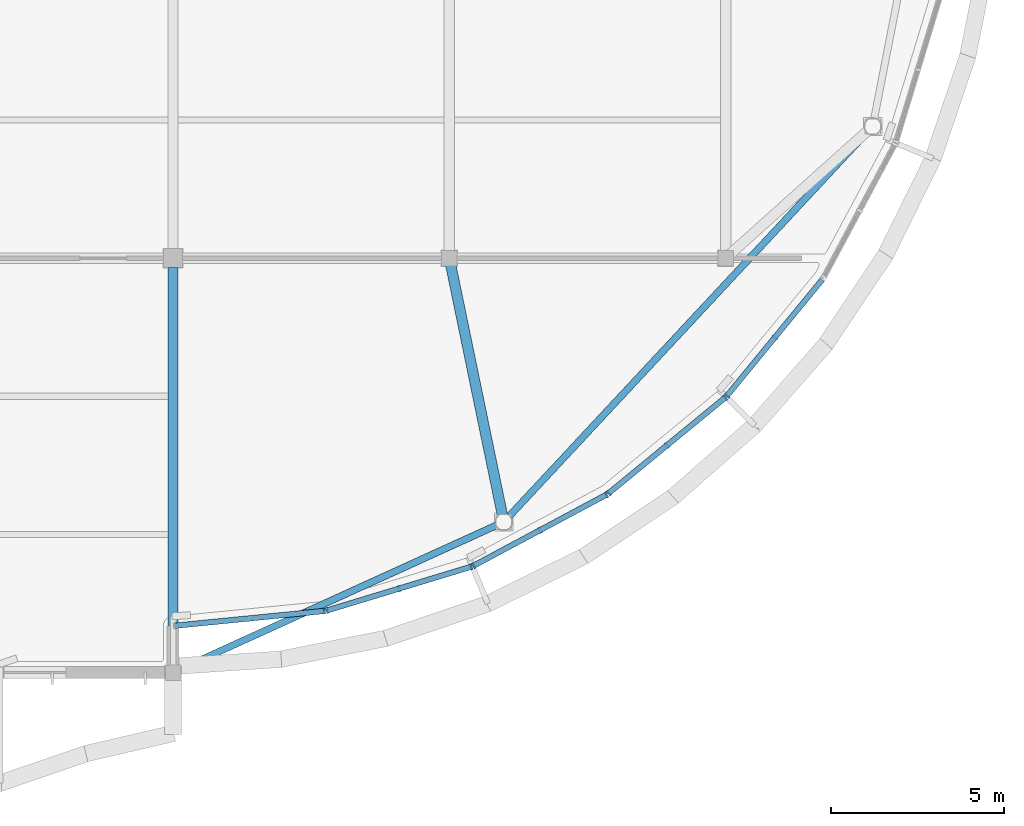
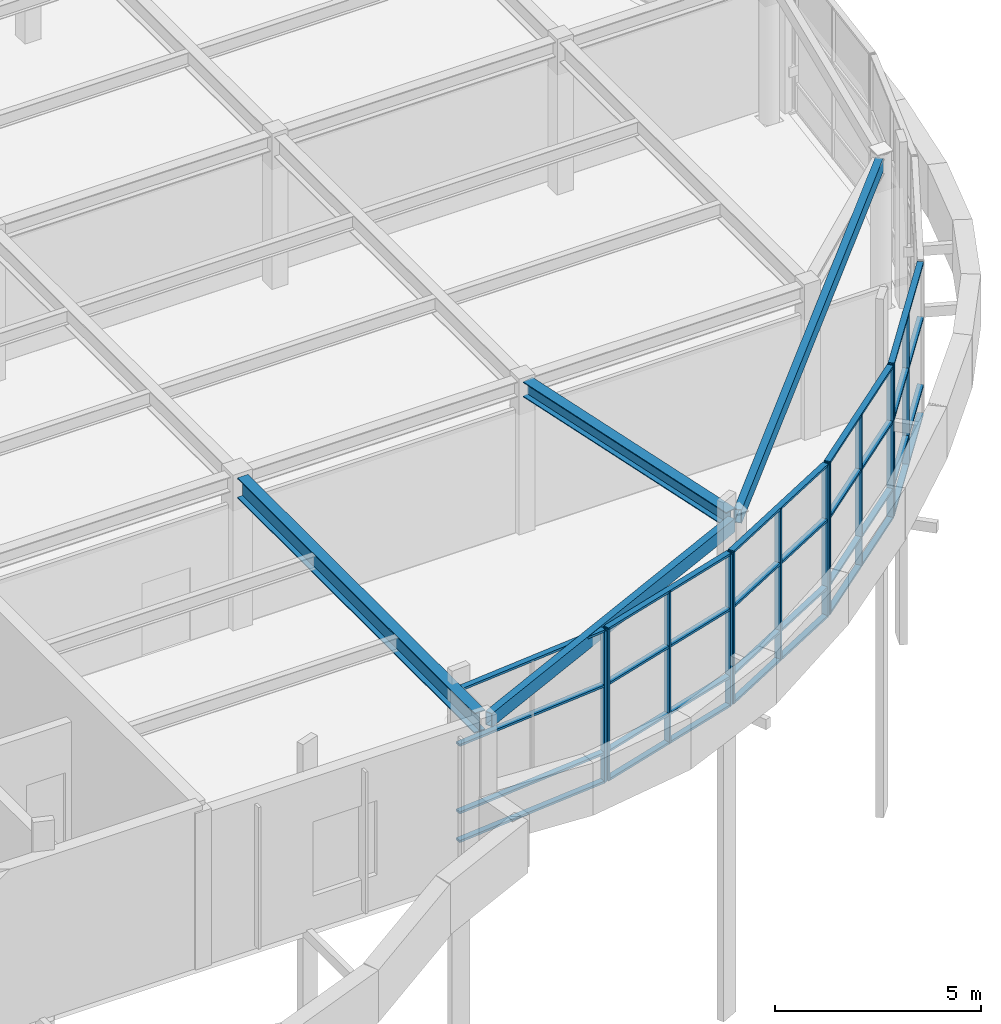
# One storey, part 24 of 63: 32 members, 4 beams, 5 elements without a shape of their own.
"""IFC4 building model written with IfcOpenShell, lengths in metres."""

from ifc_helpers import new_model, si_unit, direction, frame, origin, origin_2d, place, context, subcontext, project, spatial, rectangle, hollow_rectangle, i_section, extrude, material, layer, layer_set, material_profile, profile_set, type_object, element, aggregate, save


model = new_model("IFC4")

# Units and contexts
model_context = context("Model", 3, precision=1e-05, world=origin(), true_north=direction((0.0, 1.0)))
body_context = subcontext(model_context, "Body", "Model", "MODEL_VIEW")
ifc_project = project(units=[si_unit("LENGTHUNIT", "METRE"), si_unit("AREAUNIT", "SQUARE_METRE"), si_unit("VOLUMEUNIT", "CUBIC_METRE"), si_unit("PLANEANGLEUNIT", "RADIAN"), si_unit("MASSUNIT", "GRAM", prefix="KILO")], contexts=[model_context])

# Site, building, storey
site_placement = place(None, origin())
site = spatial("IfcSite", under=ifc_project, at=site_placement, CompositionType="ELEMENT")
building_placement = place(site_placement, origin())
building = spatial("IfcBuilding", under=site, at=building_placement, Name="Keelwater Ferry Terminal", CompositionType="ELEMENT")
storey_placement = place(building_placement, frame((0.0, 0.0, 10.199951171875)))
storey = spatial("IfcBuildingStorey", under=building, at=storey_placement, Name="L02", CompositionType="ELEMENT", Elevation=10.199951171875)

# Curtain wall, member
ifc_material_1 = material(Name="Thermally broken unitised aluminium and triple glass", Category="aluminium")
ifc_layer = layer(ifc_material_1, 0.179931640625)
ifc_layer_set = layer_set([ifc_layer], Name="Thermally broken unitised aluminium and triple glass")
curtain_wall_type = type_object("IfcCurtainWallType", Name="CW-19 Unitised Curtain Wall 4350x4480", PredefinedType="USERDEFINED", material=ifc_layer_set)
curtain_wall_1_placement = place(storey_placement, origin())
curtain_wall_1 = element("IfcCurtainWall", 1, at=curtain_wall_1_placement, inside=storey, type_object=curtain_wall_type, Name="Unitised Curtain Wall CW-L02-157", ObjectType="UNITISED CURTAIN WALL", PredefinedType="USERDEFINED")
ifc_material_2 = material(Name="Aluminium mullion", Category="aluminium")
ifc_material_profile_1 = material_profile(ifc_material_2, rectangle(XDim=0.06494140625, YDim=0.179931640625, at=origin_2d()), Name="CWM-01")
ifc_profile_set_1 = profile_set([ifc_material_profile_1], Name="Aluminium mullion")
member_type_1 = type_object("IfcMemberType", Name="CWM-01 Curtain Mullion 65x180", PredefinedType="MULLION", material=ifc_profile_set_1)
member_1_placement = place(storey_placement, frame((168.3740234375, 43.781005859375, 0.0), z_axis=(0.0, 0.0, 1.0), x_axis=(0.995170573079, 0.098160737969, 0.0)))
member_1 = element("IfcMember", 2, at=member_1_placement, type_object=member_type_1, Name="CW-L02-157 Mullion 3", PredefinedType="MULLION", context=body_context, shape_type="SweptSolid", body=[
    extrude(rectangle(XDim=0.06494140625, YDim=0.179931640625, at=origin_2d()), origin(), (0.0, 0.0, 1.0), 4.47998046875),
])

# Curtain wall, members
curtain_wall_2_placement = place(storey_placement, origin())
curtain_wall_2 = element("IfcCurtainWall", 3, at=curtain_wall_2_placement, inside=storey, type_object=curtain_wall_type, Name="Unitised Curtain Wall CW-L02-158", ObjectType="UNITISED CURTAIN WALL", PredefinedType="USERDEFINED")
member_2_placement = place(storey_placement, frame((168.4619140625, 43.798095703125, 0.0), z_axis=(0.0, 0.0, 1.0), x_axis=(0.956929623319, 0.290319989003, 0.0)))
member_2 = element("IfcMember", 4, at=member_2_placement, type_object=member_type_1, Name="CW-L02-158 Mullion 1", PredefinedType="MULLION", context=body_context, shape_type="SweptSolid", body=[
    extrude(rectangle(XDim=0.06494140625, YDim=0.179931640625, at=origin_2d()), origin(), (0.0, 0.0, 1.0), 4.47998046875),
])
member_3_placement = place(storey_placement, frame((170.54345703125, 44.429443359375, 0.0), z_axis=(0.0, 0.0, 1.0), x_axis=(0.956929623319, 0.290319989003, 0.0)))
member_3 = element("IfcMember", 5, at=member_3_placement, type_object=member_type_1, Name="CW-L02-158 Mullion 2", PredefinedType="MULLION", context=body_context, shape_type="SweptSolid", body=[
    extrude(rectangle(XDim=0.06494140625, YDim=0.179931640625, at=origin_2d()), origin(), (0.0, 0.0, 1.0), 4.47998046875),
])
member_4_placement = place(storey_placement, frame((172.625, 45.06103515625, 0.0), z_axis=(0.0, 0.0, 1.0), x_axis=(0.956929623319, 0.290319989003, 0.0)))
member_4 = element("IfcMember", 6, at=member_4_placement, type_object=member_type_1, Name="CW-L02-158 Mullion 3", PredefinedType="MULLION", context=body_context, shape_type="SweptSolid", body=[
    extrude(rectangle(XDim=0.06494140625, YDim=0.179931640625, at=origin_2d()), origin(), (0.0, 0.0, 1.0), 4.47998046875),
])

curtain_wall_3_placement = place(storey_placement, origin())
curtain_wall_3 = element("IfcCurtainWall", 7, at=curtain_wall_3_placement, inside=storey, type_object=curtain_wall_type, Name="Unitised Curtain Wall CW-L02-159", ObjectType="UNITISED CURTAIN WALL", PredefinedType="USERDEFINED")
member_5_placement = place(storey_placement, frame((172.7080078125, 45.094970703125, 0.0), z_axis=(0.0, 0.0, 1.0), x_axis=(0.881862452632, 0.471506749303, 0.0)))
member_5 = element("IfcMember", 8, at=member_5_placement, type_object=member_type_1, Name="CW-L02-159 Mullion 1", PredefinedType="MULLION", context=body_context, shape_type="SweptSolid", body=[
    extrude(rectangle(XDim=0.06494140625, YDim=0.179931640625, at=origin_2d()), origin(), (0.0, 0.0, 1.0), 4.47998046875),
])
member_6_placement = place(storey_placement, frame((174.6259765625, 46.12060546875, 0.0), z_axis=(0.0, 0.0, 1.0), x_axis=(0.881862452632, 0.471506749303, 0.0)))
member_6 = element("IfcMember", 9, at=member_6_placement, type_object=member_type_1, Name="CW-L02-159 Mullion 2", PredefinedType="MULLION", context=body_context, shape_type="SweptSolid", body=[
    extrude(rectangle(XDim=0.06494140625, YDim=0.179931640625, at=origin_2d()), origin(), (0.0, 0.0, 1.0), 4.47998046875),
])
member_7_placement = place(storey_placement, frame((176.5439453125, 47.14599609375, 0.0), z_axis=(0.0, 0.0, 1.0), x_axis=(0.881862452632, 0.471506749303, 0.0)))
member_7 = element("IfcMember", 10, at=member_7_placement, type_object=member_type_1, Name="CW-L02-159 Mullion 3", PredefinedType="MULLION", context=body_context, shape_type="SweptSolid", body=[
    extrude(rectangle(XDim=0.06494140625, YDim=0.179931640625, at=origin_2d()), origin(), (0.0, 0.0, 1.0), 4.47998046875),
])

curtain_wall_4_placement = place(storey_placement, origin())
curtain_wall_4 = element("IfcCurtainWall", 11, at=curtain_wall_4_placement, inside=storey, type_object=curtain_wall_type, Name="Unitised Curtain Wall CW-L02-160", ObjectType="UNITISED CURTAIN WALL", PredefinedType="USERDEFINED")
member_8_placement = place(storey_placement, frame((176.618896484375, 47.196044921875, 0.0), z_axis=(0.0, 0.0, 1.0), x_axis=(0.773024220086, 0.634376508991, 0.0)))
member_8 = element("IfcMember", 12, at=member_8_placement, type_object=member_type_1, Name="CW-L02-160 Mullion 1", PredefinedType="MULLION", context=body_context, shape_type="SweptSolid", body=[
    extrude(rectangle(XDim=0.06494140625, YDim=0.179931640625, at=origin_2d()), origin(), (0.0, 0.0, 1.0), 4.47998046875),
])
member_9_placement = place(storey_placement, frame((178.300048828125, 48.575439453125, 0.0), z_axis=(0.0, 0.0, 1.0), x_axis=(0.773024220086, 0.634376508991, 0.0)))
member_9 = element("IfcMember", 13, at=member_9_placement, type_object=member_type_1, Name="CW-L02-160 Mullion 2", PredefinedType="MULLION", context=body_context, shape_type="SweptSolid", body=[
    extrude(rectangle(XDim=0.06494140625, YDim=0.179931640625, at=origin_2d()), origin(), (0.0, 0.0, 1.0), 4.47998046875),
])
member_10_placement = place(storey_placement, frame((179.98095703125, 49.955078125, 0.0), z_axis=(0.0, 0.0, 1.0), x_axis=(0.773024220086, 0.634376508991, 0.0)))
member_10 = element("IfcMember", 14, at=member_10_placement, type_object=member_type_1, Name="CW-L02-160 Mullion 3", PredefinedType="MULLION", context=body_context, shape_type="SweptSolid", body=[
    extrude(rectangle(XDim=0.06494140625, YDim=0.179931640625, at=origin_2d()), origin(), (0.0, 0.0, 1.0), 4.47998046875),
])

curtain_wall_5_placement = place(storey_placement, origin())
curtain_wall_5 = element("IfcCurtainWall", 15, at=curtain_wall_5_placement, inside=storey, type_object=curtain_wall_type, Name="Unitised Curtain Wall CW-L02-161", ObjectType="UNITISED CURTAIN WALL", PredefinedType="USERDEFINED")
member_11_placement = place(storey_placement, frame((180.044921875, 50.01904296875, 0.0), z_axis=(0.0, 0.0, 1.0), x_axis=(0.634376508991, 0.773024220086, 0.0)))
member_11 = element("IfcMember", 16, at=member_11_placement, type_object=member_type_1, Name="CW-L02-161 Mullion 1", PredefinedType="MULLION", context=body_context, shape_type="SweptSolid", body=[
    extrude(rectangle(XDim=0.06494140625, YDim=0.179931640625, at=origin_2d()), origin(), (0.0, 0.0, 1.0), 4.47998046875),
])
member_12_placement = place(storey_placement, frame((181.424560546875, 51.699951171875, 0.0), z_axis=(0.0, 0.0, 1.0), x_axis=(0.634376508991, 0.773024220086, 0.0)))
member_12 = element("IfcMember", 17, at=member_12_placement, type_object=member_type_1, Name="CW-L02-161 Mullion 2", PredefinedType="MULLION", context=body_context, shape_type="SweptSolid", body=[
    extrude(rectangle(XDim=0.06494140625, YDim=0.179931640625, at=origin_2d()), origin(), (0.0, 0.0, 1.0), 4.47998046875),
])

# Member
ifc_material_3 = material(Name="Aluminium mullion", Category="aluminium")
ifc_material_profile_2 = material_profile(ifc_material_3, rectangle(XDim=0.159912109375, YDim=0.06494140625, at=origin_2d()), Name="CWT-01")
ifc_profile_set_2 = profile_set([ifc_material_profile_2], Name="Aluminium mullion")
member_type_2 = type_object("IfcMemberType", Name="CWT-01 Curtain Transom 65x160", PredefinedType="USERDEFINED", material=ifc_profile_set_2)
member_13_placement = place(storey_placement, frame((164.044921875, 43.35400390625, 0.0), z_axis=(0.995170754178, 0.098158901932, 0.0), x_axis=(-0.098158901932, 0.995170754178, 0.0)))
member_13 = element("IfcMember", 18, at=member_13_placement, type_object=member_type_2, Name="CW-L02-157 Transom 1", ObjectType="TRANSOM", PredefinedType="USERDEFINED", context=body_context, shape_type="SweptSolid", body=[
    extrude(rectangle(XDim=0.159912109375, YDim=0.06494140625, at=origin_2d()), origin(), (0.0, 0.0, 1.0), 4.35009765625),
])

member_14_placement = place(storey_placement, frame((164.044921875, 43.35400390625, 0.85009765625), z_axis=(0.995170754178, 0.098158901932, 0.0), x_axis=(-0.098158901932, 0.995170754178, 0.0)))
member_14 = element("IfcMember", 19, at=member_14_placement, type_object=member_type_2, Name="CW-L02-157 Transom 2", ObjectType="TRANSOM", PredefinedType="USERDEFINED", context=body_context, shape_type="SweptSolid", body=[
    extrude(rectangle(XDim=0.159912109375, YDim=0.06494140625, at=origin_2d()), origin(), (0.0, 0.0, 1.0), 4.35009765625),
])

member_15_placement = place(storey_placement, frame((164.044921875, 43.35400390625, 2.85009765625), z_axis=(0.995170754178, 0.098158901932, 0.0), x_axis=(-0.098158901932, 0.995170754178, 0.0)))
member_15 = element("IfcMember", 20, at=member_15_placement, type_object=member_type_2, Name="CW-L02-157 Transom 3", ObjectType="TRANSOM", PredefinedType="USERDEFINED", context=body_context, shape_type="SweptSolid", body=[
    extrude(rectangle(XDim=0.159912109375, YDim=0.06494140625, at=origin_2d()), origin(), (0.0, 0.0, 1.0), 4.35009765625),
])

member_16_placement = place(storey_placement, frame((164.044921875, 43.35400390625, 4.47998046875), z_axis=(0.995170754178, 0.098158901932, 0.0), x_axis=(-0.098158901932, 0.995170754178, 0.0)))
member_16 = element("IfcMember", 21, at=member_16_placement, type_object=member_type_2, Name="CW-L02-157 Transom 4", ObjectType="TRANSOM", PredefinedType="USERDEFINED", context=body_context, shape_type="SweptSolid", body=[
    extrude(rectangle(XDim=0.159912109375, YDim=0.06494140625, at=origin_2d()), origin(), (0.0, 0.0, 1.0), 4.35009765625),
])

aggregate(curtain_wall_1, [member_1, member_13, member_14, member_15, member_16])

member_17_placement = place(storey_placement, frame((168.4619140625, 43.798095703125, 0.0), z_axis=(0.956935154583, 0.290301756665, 0.0), x_axis=(-0.290301756665, 0.956935154583, 0.0)))
member_17 = element("IfcMember", 22, at=member_17_placement, type_object=member_type_2, Name="CW-L02-158 Transom 1", ObjectType="TRANSOM", PredefinedType="USERDEFINED", context=body_context, shape_type="SweptSolid", body=[
    extrude(rectangle(XDim=0.159912109375, YDim=0.06494140625, at=origin_2d()), origin(), (0.0, 0.0, 1.0), 4.350341796875),
])

member_18_placement = place(storey_placement, frame((168.4619140625, 43.798095703125, 0.85009765625), z_axis=(0.956935154583, 0.290301756665, 0.0), x_axis=(-0.290301756665, 0.956935154583, 0.0)))
member_18 = element("IfcMember", 23, at=member_18_placement, type_object=member_type_2, Name="CW-L02-158 Transom 2", ObjectType="TRANSOM", PredefinedType="USERDEFINED", context=body_context, shape_type="SweptSolid", body=[
    extrude(rectangle(XDim=0.159912109375, YDim=0.06494140625, at=origin_2d()), origin(), (0.0, 0.0, 1.0), 4.350341796875),
])

member_19_placement = place(storey_placement, frame((168.4619140625, 43.798095703125, 2.85009765625), z_axis=(0.956935154583, 0.290301756665, 0.0), x_axis=(-0.290301756665, 0.956935154583, 0.0)))
member_19 = element("IfcMember", 24, at=member_19_placement, type_object=member_type_2, Name="CW-L02-158 Transom 3", ObjectType="TRANSOM", PredefinedType="USERDEFINED", context=body_context, shape_type="SweptSolid", body=[
    extrude(rectangle(XDim=0.159912109375, YDim=0.06494140625, at=origin_2d()), origin(), (0.0, 0.0, 1.0), 4.350341796875),
])

member_20_placement = place(storey_placement, frame((168.4619140625, 43.798095703125, 4.47998046875), z_axis=(0.956935154583, 0.290301756665, 0.0), x_axis=(-0.290301756665, 0.956935154583, 0.0)))
member_20 = element("IfcMember", 25, at=member_20_placement, type_object=member_type_2, Name="CW-L02-158 Transom 4", ObjectType="TRANSOM", PredefinedType="USERDEFINED", context=body_context, shape_type="SweptSolid", body=[
    extrude(rectangle(XDim=0.159912109375, YDim=0.06494140625, at=origin_2d()), origin(), (0.0, 0.0, 1.0), 4.350341796875),
])

aggregate(curtain_wall_2, [member_2, member_3, member_4, member_17, member_18, member_19, member_20])

member_21_placement = place(storey_placement, frame((172.7080078125, 45.094970703125, 0.0), z_axis=(0.881856831112, 0.471517263122, 0.0), x_axis=(-0.471517263122, 0.881856831112, 0.0)))
member_21 = element("IfcMember", 26, at=member_21_placement, type_object=member_type_2, Name="CW-L02-159 Transom 1", ObjectType="TRANSOM", PredefinedType="USERDEFINED", context=body_context, shape_type="SweptSolid", body=[
    extrude(rectangle(XDim=0.159912109375, YDim=0.06494140625, at=origin_2d()), origin(), (0.0, 0.0, 1.0), 4.349853515625),
])

member_22_placement = place(storey_placement, frame((172.7080078125, 45.094970703125, 0.85009765625), z_axis=(0.881856831112, 0.471517263122, 0.0), x_axis=(-0.471517263122, 0.881856831112, 0.0)))
member_22 = element("IfcMember", 27, at=member_22_placement, type_object=member_type_2, Name="CW-L02-159 Transom 2", ObjectType="TRANSOM", PredefinedType="USERDEFINED", context=body_context, shape_type="SweptSolid", body=[
    extrude(rectangle(XDim=0.159912109375, YDim=0.06494140625, at=origin_2d()), origin(), (0.0, 0.0, 1.0), 4.349853515625),
])

member_23_placement = place(storey_placement, frame((172.7080078125, 45.094970703125, 2.85009765625), z_axis=(0.881856831112, 0.471517263122, 0.0), x_axis=(-0.471517263122, 0.881856831112, 0.0)))
member_23 = element("IfcMember", 28, at=member_23_placement, type_object=member_type_2, Name="CW-L02-159 Transom 3", ObjectType="TRANSOM", PredefinedType="USERDEFINED", context=body_context, shape_type="SweptSolid", body=[
    extrude(rectangle(XDim=0.159912109375, YDim=0.06494140625, at=origin_2d()), origin(), (0.0, 0.0, 1.0), 4.349853515625),
])

member_24_placement = place(storey_placement, frame((172.7080078125, 45.094970703125, 4.47998046875), z_axis=(0.881856831112, 0.471517263122, 0.0), x_axis=(-0.471517263122, 0.881856831112, 0.0)))
member_24 = element("IfcMember", 29, at=member_24_placement, type_object=member_type_2, Name="CW-L02-159 Transom 4", ObjectType="TRANSOM", PredefinedType="USERDEFINED", context=body_context, shape_type="SweptSolid", body=[
    extrude(rectangle(XDim=0.159912109375, YDim=0.06494140625, at=origin_2d()), origin(), (0.0, 0.0, 1.0), 4.349853515625),
])

aggregate(curtain_wall_3, [member_5, member_6, member_7, member_21, member_22, member_23, member_24])

member_25_placement = place(storey_placement, frame((176.618896484375, 47.196044921875, 0.0), z_axis=(0.773026078732, 0.634374244118, 0.0), x_axis=(-0.634374244118, 0.773026078732, 0.0)))
member_25 = element("IfcMember", 30, at=member_25_placement, type_object=member_type_2, Name="CW-L02-160 Transom 1", ObjectType="TRANSOM", PredefinedType="USERDEFINED", context=body_context, shape_type="SweptSolid", body=[
    extrude(rectangle(XDim=0.159912109375, YDim=0.06494140625, at=origin_2d()), origin(), (0.0, 0.0, 1.0), 4.34912109375),
])

member_26_placement = place(storey_placement, frame((176.618896484375, 47.196044921875, 0.85009765625), z_axis=(0.773026078732, 0.634374244118, 0.0), x_axis=(-0.634374244118, 0.773026078732, 0.0)))
member_26 = element("IfcMember", 31, at=member_26_placement, type_object=member_type_2, Name="CW-L02-160 Transom 2", ObjectType="TRANSOM", PredefinedType="USERDEFINED", context=body_context, shape_type="SweptSolid", body=[
    extrude(rectangle(XDim=0.159912109375, YDim=0.06494140625, at=origin_2d()), origin(), (0.0, 0.0, 1.0), 4.34912109375),
])

member_27_placement = place(storey_placement, frame((176.618896484375, 47.196044921875, 2.85009765625), z_axis=(0.773026078732, 0.634374244118, 0.0), x_axis=(-0.634374244118, 0.773026078732, 0.0)))
member_27 = element("IfcMember", 32, at=member_27_placement, type_object=member_type_2, Name="CW-L02-160 Transom 3", ObjectType="TRANSOM", PredefinedType="USERDEFINED", context=body_context, shape_type="SweptSolid", body=[
    extrude(rectangle(XDim=0.159912109375, YDim=0.06494140625, at=origin_2d()), origin(), (0.0, 0.0, 1.0), 4.34912109375),
])

member_28_placement = place(storey_placement, frame((176.618896484375, 47.196044921875, 4.47998046875), z_axis=(0.773026078732, 0.634374244118, 0.0), x_axis=(-0.634374244118, 0.773026078732, 0.0)))
member_28 = element("IfcMember", 33, at=member_28_placement, type_object=member_type_2, Name="CW-L02-160 Transom 4", ObjectType="TRANSOM", PredefinedType="USERDEFINED", context=body_context, shape_type="SweptSolid", body=[
    extrude(rectangle(XDim=0.159912109375, YDim=0.06494140625, at=origin_2d()), origin(), (0.0, 0.0, 1.0), 4.34912109375),
])

aggregate(curtain_wall_4, [member_8, member_9, member_10, member_25, member_26, member_27, member_28])

member_29_placement = place(storey_placement, frame((180.044921875, 50.01904296875, 0.0), z_axis=(0.634374244118, 0.773026078732, 0.0), x_axis=(-0.773026078732, 0.634374244118, 0.0)))
member_29 = element("IfcMember", 34, at=member_29_placement, type_object=member_type_2, Name="CW-L02-161 Transom 1", ObjectType="TRANSOM", PredefinedType="USERDEFINED", context=body_context, shape_type="SweptSolid", body=[
    extrude(rectangle(XDim=0.159912109375, YDim=0.06494140625, at=origin_2d()), origin(), (0.0, 0.0, 1.0), 4.34912109375),
])

member_30_placement = place(storey_placement, frame((180.044921875, 50.01904296875, 0.85009765625), z_axis=(0.634374244118, 0.773026078732, 0.0), x_axis=(-0.773026078732, 0.634374244118, 0.0)))
member_30 = element("IfcMember", 35, at=member_30_placement, type_object=member_type_2, Name="CW-L02-161 Transom 2", ObjectType="TRANSOM", PredefinedType="USERDEFINED", context=body_context, shape_type="SweptSolid", body=[
    extrude(rectangle(XDim=0.159912109375, YDim=0.06494140625, at=origin_2d()), origin(), (0.0, 0.0, 1.0), 4.34912109375),
])

member_31_placement = place(storey_placement, frame((180.044921875, 50.01904296875, 2.85009765625), z_axis=(0.634374244118, 0.773026078732, 0.0), x_axis=(-0.773026078732, 0.634374244118, 0.0)))
member_31 = element("IfcMember", 36, at=member_31_placement, type_object=member_type_2, Name="CW-L02-161 Transom 3", ObjectType="TRANSOM", PredefinedType="USERDEFINED", context=body_context, shape_type="SweptSolid", body=[
    extrude(rectangle(XDim=0.159912109375, YDim=0.06494140625, at=origin_2d()), origin(), (0.0, 0.0, 1.0), 4.34912109375),
])

member_32_placement = place(storey_placement, frame((180.044921875, 50.01904296875, 4.47998046875), z_axis=(0.634374244118, 0.773026078732, 0.0), x_axis=(-0.773026078732, 0.634374244118, 0.0)))
member_32 = element("IfcMember", 37, at=member_32_placement, type_object=member_type_2, Name="CW-L02-161 Transom 4", ObjectType="TRANSOM", PredefinedType="USERDEFINED", context=body_context, shape_type="SweptSolid", body=[
    extrude(rectangle(XDim=0.159912109375, YDim=0.06494140625, at=origin_2d()), origin(), (0.0, 0.0, 1.0), 4.34912109375),
])

aggregate(curtain_wall_5, [member_11, member_12, member_29, member_30, member_31, member_32])

# Beams
ifc_material_4 = material(Name="Steel S355", Category="steel")
ifc_material_profile_3 = material_profile(ifc_material_4, i_section(OverallWidth=0.300048828125, OverallDepth=0.60009765625, WebThickness=0.015380859375, FlangeThickness=0.030029296875, at=origin_2d()), Name="HEB 600")
ifc_profile_set_3 = profile_set([ifc_material_profile_3], Name="Steel S355")
beam_type_1 = type_object("IfcBeamType", Name="G3 HEB 600", PredefinedType="BEAM", material=ifc_profile_set_3)
beam_1_placement = place(storey_placement, frame((164.0, 42.219970703125, 4.219970703125), z_axis=(0.0, 1.0, 0.0), x_axis=(-1.0, 0.0, 0.0)))
element("IfcBeam", 38, at=beam_1_placement, inside=storey, type_object=beam_type_1, Name="Beam BM-L02-1129", PredefinedType="BEAM", context=body_context, shape_type="SweptSolid", body=[
    extrude(i_section(OverallWidth=0.300048828125, OverallDepth=0.60009765625, WebThickness=0.015380859375, FlangeThickness=0.030029296875, at=origin_2d()), origin(), (0.0, 0.0, 1.0), 11.510009765625),
])
ifc_material_5 = material(Name="Steel S355", Category="steel")
ifc_material_profile_4 = material_profile(ifc_material_5, i_section(OverallWidth=0.300048828125, OverallDepth=0.449951171875, WebThickness=0.013916015625, FlangeThickness=0.02587890625, at=origin_2d()), Name="HEB 450")
ifc_profile_set_4 = profile_set([ifc_material_profile_4], Name="Steel S355")
beam_type_2 = type_object("IfcBeamType", Name="G6 HEB 450", PredefinedType="BEAM", material=ifc_profile_set_4)
beam_2_placement = place(storey_placement, frame((173.5400390625, 46.547119140625, 4.295166015625), z_axis=(-0.20230745002, 0.979322059216, 0.0), x_axis=(-0.979322059216, -0.20230745002, 0.0)))
element("IfcBeam", 39, at=beam_2_placement, inside=storey, type_object=beam_type_2, Name="Beam BM-L02-1284", PredefinedType="BEAM", context=body_context, shape_type="SweptSolid", body=[
    extrude(i_section(OverallWidth=0.300048828125, OverallDepth=0.449951171875, WebThickness=0.013916015625, FlangeThickness=0.02587890625, at=origin_2d()), origin(), (0.0, 0.0, 1.0), 7.419189453125),
])
ifc_material_6 = material(Name="Steel S355", Category="steel")
ifc_material_profile_5 = material_profile(ifc_material_6, hollow_rectangle(XDim=0.199951171875, YDim=0.39990234375, WallThickness=0.01611328125, at=origin_2d()), Name="RHS 400x200x16")
ifc_profile_set_5 = profile_set([ifc_material_profile_5], Name="Steel S355")
beam_type_3 = type_object("IfcBeamType", Name="SP3E RHS 400x200x16", PredefinedType="SPANDREL", material=ifc_profile_set_5)
beam_3_placement = place(storey_placement, frame((184.12890625, 57.676025390625, 4.320068359375), z_axis=(-0.681966371638, -0.731383529999, 0.0), x_axis=(0.731383529999, -0.681966371638, 0.0)))
element("IfcBeam", 40, at=beam_3_placement, inside=storey, type_object=beam_type_3, Name="Beam BM-L02-1279", PredefinedType="SPANDREL", context=body_context, shape_type="SweptSolid", body=[
    extrude(hollow_rectangle(XDim=0.199951171875, YDim=0.39990234375, WallThickness=0.01611328125, at=origin_2d()), origin(), (0.0, 0.0, 1.0), 15.28076171875),
])
beam_4_placement = place(storey_placement, frame((173.405029296875, 46.281982421875, 4.320068359375), z_axis=(-0.910123163328, -0.414337818181, 0.0), x_axis=(0.414337818181, -0.910123163328, 0.0)))
element("IfcBeam", 41, at=beam_4_placement, inside=storey, type_object=beam_type_3, Name="Beam BM-L02-1280", PredefinedType="SPANDREL", context=body_context, shape_type="SweptSolid", body=[
    extrude(hollow_rectangle(XDim=0.199951171875, YDim=0.39990234375, WallThickness=0.01611328125, at=origin_2d()), origin(), (0.0, 0.0, 1.0), 10.1435546875),
])

save(model, "model.ifc")
